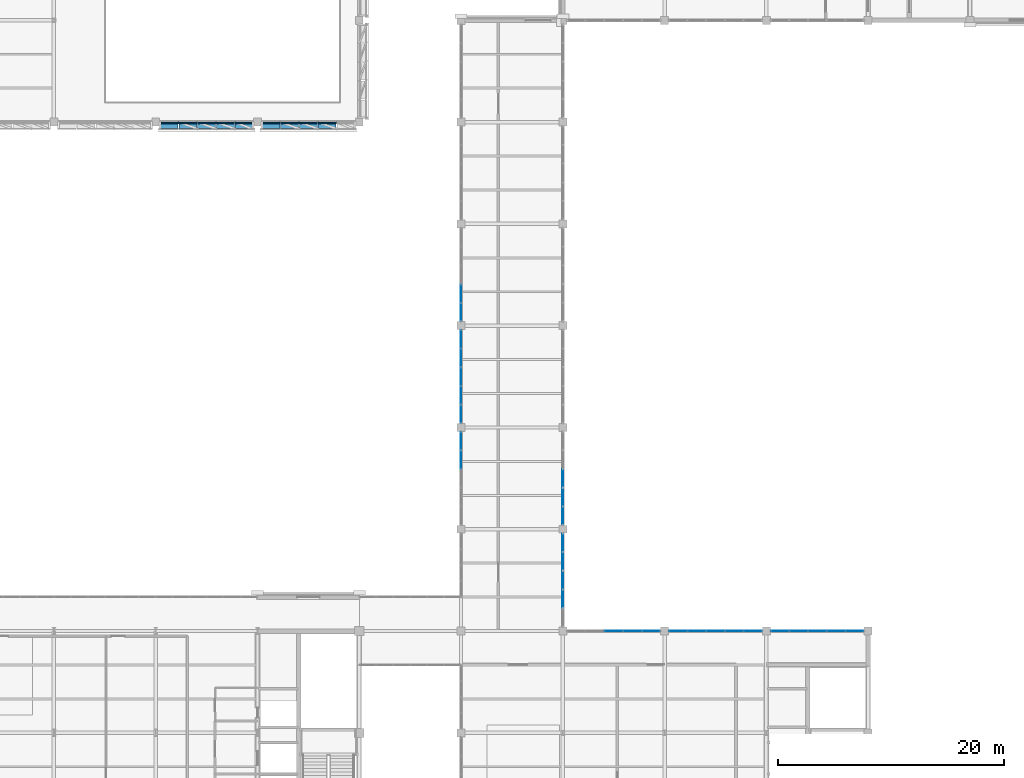
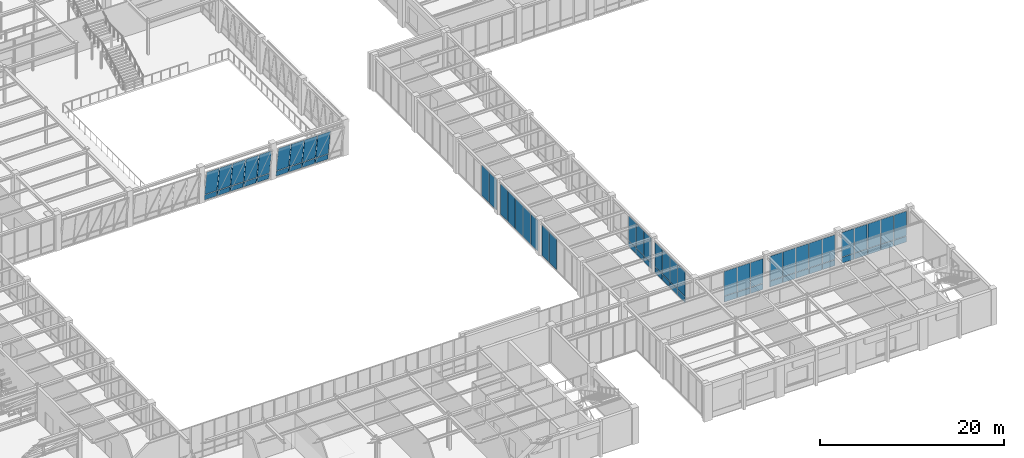
# One storey, part 71 of 92: 67 plates, 10 elements without a shape of their own.
"""IFC4 building model written with IfcOpenShell, lengths in metres."""

from ifc_helpers import new_model, si_unit, direction, frame, origin, origin_2d, place, context, subcontext, project, spatial, rectangle, extrude, material, layer, layer_set, type_object, element, aggregate, save


model = new_model("IFC4")

# Units and contexts
model_context = context("Model", 3, precision=1e-05, world=origin(), true_north=direction((0.0, 1.0)))
body_context = subcontext(model_context, "Body", "Model", "MODEL_VIEW")
ifc_project = project(units=[si_unit("LENGTHUNIT", "METRE"), si_unit("AREAUNIT", "SQUARE_METRE"), si_unit("VOLUMEUNIT", "CUBIC_METRE"), si_unit("PLANEANGLEUNIT", "RADIAN"), si_unit("MASSUNIT", "GRAM", prefix="KILO")], contexts=[model_context])

# Site, building, storey
site_placement = place(None, origin())
site = spatial("IfcSite", under=ifc_project, at=site_placement, CompositionType="ELEMENT")
building_placement = place(site_placement, origin())
building = spatial("IfcBuilding", under=site, at=building_placement, Name="Lykobir Media Centre", CompositionType="ELEMENT")
storey_placement = place(building_placement, frame((0.0, 0.0, 5.39990234375)))
storey = spatial("IfcBuildingStorey", under=building, at=storey_placement, Name="L01", CompositionType="ELEMENT", Elevation=5.39990234375)

# Curtain wall, plates
ifc_material_1 = material(Name="Anodized Aluminium AW-6060", Category="aluminium")
curtain_wall_type_1 = type_object("IfcCurtainWallType", Name="CW-COURT-A", PredefinedType="NOTDEFINED", material=ifc_material_1)
curtain_wall_1_placement = place(storey_placement, origin())
curtain_wall_1 = element("IfcCurtainWall", 1, at=curtain_wall_1_placement, inside=storey, type_object=curtain_wall_type_1, Name="Curtain wall CW2-L01-0028", PredefinedType="NOTDEFINED")
ifc_material_2 = material(Name="Low-E Laminated Triple Glazing", Category="glass")
ifc_layer_1 = layer(ifc_material_2, 0.0380859375, Name="Low-E Laminated Triple Glazing")
ifc_layer_set_1 = layer_set([ifc_layer_1], Name="Low-E Laminated Triple Glazing")
plate_type_1 = type_object("IfcPlateType", Name="CWP-GLZ-38", PredefinedType="CURTAIN_PANEL", material=ifc_layer_set_1)
plate_1_placement = place(storey_placement, frame((103.5, 18.0, 0.882568359375), z_axis=(0.0, 0.0, 1.0), x_axis=(1.0, 0.0, 0.0)))
plate_1 = element("IfcPlate", 2, at=plate_1_placement, type_object=plate_type_1, Name="CW2-L01-0028 panel 3.2", PredefinedType="CURTAIN_PANEL", context=body_context, shape_type="SweptSolid", body=[
    extrude(rectangle(XDim=1.593017578125, YDim=0.0380859375, at=origin_2d()), origin(), (0.0, 0.0, 1.0), 3.24755859375),
])
plate_2_placement = place(storey_placement, frame((105.157958984375, 18.0, 0.882568359375), z_axis=(0.0, 0.0, 1.0), x_axis=(1.0, 0.0, 0.0)))
plate_2 = element("IfcPlate", 3, at=plate_2_placement, type_object=plate_type_1, Name="CW2-L01-0028 panel 4.2", PredefinedType="CURTAIN_PANEL", context=body_context, shape_type="SweptSolid", body=[
    extrude(rectangle(XDim=1.593017578125, YDim=0.0380859375, at=origin_2d()), origin(), (0.0, 0.0, 1.0), 3.24755859375),
])
plate_3_placement = place(storey_placement, frame((106.7998046875, 18.0, 0.882568359375), z_axis=(0.0, 0.0, 1.0), x_axis=(1.0, 0.0, 0.0)))
plate_3 = element("IfcPlate", 4, at=plate_3_placement, type_object=plate_type_1, Name="CW2-L01-0028 panel 5.2", PredefinedType="CURTAIN_PANEL", context=body_context, shape_type="SweptSolid", body=[
    extrude(rectangle(XDim=1.560546875, YDim=0.0380859375, at=origin_2d()), origin(), (0.0, 0.0, 1.0), 3.24755859375),
])

curtain_wall_2_placement = place(storey_placement, origin())
curtain_wall_2 = element("IfcCurtainWall", 5, at=curtain_wall_2_placement, inside=storey, type_object=curtain_wall_type_1, Name="Curtain wall CW2-L01-0029", PredefinedType="NOTDEFINED")
plate_4_placement = place(storey_placement, frame((109.2001953125, 18.0, 0.882568359375), z_axis=(0.0, 0.0, 1.0), x_axis=(1.0, 0.0, 0.0)))
plate_4 = element("IfcPlate", 6, at=plate_4_placement, type_object=plate_type_1, Name="CW2-L01-0029 panel 1.2", PredefinedType="CURTAIN_PANEL", context=body_context, shape_type="SweptSolid", body=[
    extrude(rectangle(XDim=1.560546875, YDim=0.0380859375, at=origin_2d()), origin(), (0.0, 0.0, 1.0), 3.24755859375),
])
plate_5_placement = place(storey_placement, frame((110.842041015625, 18.0, 0.882568359375), z_axis=(0.0, 0.0, 1.0), x_axis=(1.0, 0.0, 0.0)))
plate_5 = element("IfcPlate", 7, at=plate_5_placement, type_object=plate_type_1, Name="CW2-L01-0029 panel 2.2", PredefinedType="CURTAIN_PANEL", context=body_context, shape_type="SweptSolid", body=[
    extrude(rectangle(XDim=1.593017578125, YDim=0.0380859375, at=origin_2d()), origin(), (0.0, 0.0, 1.0), 3.24755859375),
])
plate_6_placement = place(storey_placement, frame((112.5, 18.0, 0.882568359375), z_axis=(0.0, 0.0, 1.0), x_axis=(1.0, 0.0, 0.0)))
plate_6 = element("IfcPlate", 8, at=plate_6_placement, type_object=plate_type_1, Name="CW2-L01-0029 panel 3.2", PredefinedType="CURTAIN_PANEL", context=body_context, shape_type="SweptSolid", body=[
    extrude(rectangle(XDim=1.593017578125, YDim=0.0380859375, at=origin_2d()), origin(), (0.0, 0.0, 1.0), 3.24755859375),
])
plate_7_placement = place(storey_placement, frame((114.157958984375, 18.0, 0.882568359375), z_axis=(0.0, 0.0, 1.0), x_axis=(1.0, 0.0, 0.0)))
plate_7 = element("IfcPlate", 9, at=plate_7_placement, type_object=plate_type_1, Name="CW2-L01-0029 panel 4.2", PredefinedType="CURTAIN_PANEL", context=body_context, shape_type="SweptSolid", body=[
    extrude(rectangle(XDim=1.593017578125, YDim=0.0380859375, at=origin_2d()), origin(), (0.0, 0.0, 1.0), 3.24755859375),
])
plate_8_placement = place(storey_placement, frame((115.7998046875, 18.0, 0.882568359375), z_axis=(0.0, 0.0, 1.0), x_axis=(1.0, 0.0, 0.0)))
plate_8 = element("IfcPlate", 10, at=plate_8_placement, type_object=plate_type_1, Name="CW2-L01-0029 panel 5.2", PredefinedType="CURTAIN_PANEL", context=body_context, shape_type="SweptSolid", body=[
    extrude(rectangle(XDim=1.560546875, YDim=0.0380859375, at=origin_2d()), origin(), (0.0, 0.0, 1.0), 3.24755859375),
])

curtain_wall_3_placement = place(storey_placement, origin())
curtain_wall_3 = element("IfcCurtainWall", 11, at=curtain_wall_3_placement, inside=storey, type_object=curtain_wall_type_1, Name="Curtain wall CW2-L01-0030", PredefinedType="NOTDEFINED")
plate_9_placement = place(storey_placement, frame((118.2001953125, 18.0, 0.882568359375), z_axis=(0.0, 0.0, 1.0), x_axis=(1.0, 0.0, 0.0)))
plate_9 = element("IfcPlate", 12, at=plate_9_placement, type_object=plate_type_1, Name="CW2-L01-0030 panel 1.2", PredefinedType="CURTAIN_PANEL", context=body_context, shape_type="SweptSolid", body=[
    extrude(rectangle(XDim=1.560546875, YDim=0.0380859375, at=origin_2d()), origin(), (0.0, 0.0, 1.0), 3.24755859375),
])
plate_10_placement = place(storey_placement, frame((119.842041015625, 18.0, 0.882568359375), z_axis=(0.0, 0.0, 1.0), x_axis=(1.0, 0.0, 0.0)))
plate_10 = element("IfcPlate", 13, at=plate_10_placement, type_object=plate_type_1, Name="CW2-L01-0030 panel 2.2", PredefinedType="CURTAIN_PANEL", context=body_context, shape_type="SweptSolid", body=[
    extrude(rectangle(XDim=1.593017578125, YDim=0.0380859375, at=origin_2d()), origin(), (0.0, 0.0, 1.0), 3.24755859375),
])
plate_11_placement = place(storey_placement, frame((121.5, 18.0, 0.882568359375), z_axis=(0.0, 0.0, 1.0), x_axis=(1.0, 0.0, 0.0)))
plate_11 = element("IfcPlate", 14, at=plate_11_placement, type_object=plate_type_1, Name="CW2-L01-0030 panel 3.2", PredefinedType="CURTAIN_PANEL", context=body_context, shape_type="SweptSolid", body=[
    extrude(rectangle(XDim=1.593017578125, YDim=0.0380859375, at=origin_2d()), origin(), (0.0, 0.0, 1.0), 3.24755859375),
])
plate_12_placement = place(storey_placement, frame((123.157958984375, 18.0, 0.882568359375), z_axis=(0.0, 0.0, 1.0), x_axis=(1.0, 0.0, 0.0)))
plate_12 = element("IfcPlate", 15, at=plate_12_placement, type_object=plate_type_1, Name="CW2-L01-0030 panel 4.2", PredefinedType="CURTAIN_PANEL", context=body_context, shape_type="SweptSolid", body=[
    extrude(rectangle(XDim=1.593017578125, YDim=0.0380859375, at=origin_2d()), origin(), (0.0, 0.0, 1.0), 3.24755859375),
])
plate_13_placement = place(storey_placement, frame((124.7998046875, 18.0, 0.882568359375), z_axis=(0.0, 0.0, 1.0), x_axis=(1.0, 0.0, 0.0)))
plate_13 = element("IfcPlate", 16, at=plate_13_placement, type_object=plate_type_1, Name="CW2-L01-0030 panel 5.2", PredefinedType="CURTAIN_PANEL", context=body_context, shape_type="SweptSolid", body=[
    extrude(rectangle(XDim=1.560546875, YDim=0.0380859375, at=origin_2d()), origin(), (0.0, 0.0, 1.0), 3.24755859375),
])

curtain_wall_4_placement = place(storey_placement, origin())
curtain_wall_4 = element("IfcCurtainWall", 17, at=curtain_wall_4_placement, inside=storey, type_object=curtain_wall_type_1, Name="Curtain wall CW2-L01-0031", PredefinedType="NOTDEFINED")
plate_14_placement = place(storey_placement, frame((99.0, 25.7998046875, 0.882568359375), z_axis=(0.0, 0.0, 1.0), x_axis=(0.0, -1.0, 0.0)))
plate_14 = element("IfcPlate", 18, at=plate_14_placement, type_object=plate_type_1, Name="CW2-L01-0031 panel 1.2", PredefinedType="CURTAIN_PANEL", context=body_context, shape_type="SweptSolid", body=[
    extrude(rectangle(XDim=1.560546875, YDim=0.0380859375, at=origin_2d()), origin(), (0.0, 0.0, 1.0), 3.24755859375),
])
plate_15_placement = place(storey_placement, frame((99.0, 24.157958984375, 0.882568359375), z_axis=(0.0, 0.0, 1.0), x_axis=(0.0, -1.0, 0.0)))
plate_15 = element("IfcPlate", 19, at=plate_15_placement, type_object=plate_type_1, Name="CW2-L01-0031 panel 2.2", PredefinedType="CURTAIN_PANEL", context=body_context, shape_type="SweptSolid", body=[
    extrude(rectangle(XDim=1.593017578125, YDim=0.0380859375, at=origin_2d()), origin(), (0.0, 0.0, 1.0), 3.24755859375),
])
plate_16_placement = place(storey_placement, frame((99.0, 22.5, 0.882568359375), z_axis=(0.0, 0.0, 1.0), x_axis=(0.0, -1.0, 0.0)))
plate_16 = element("IfcPlate", 20, at=plate_16_placement, type_object=plate_type_1, Name="CW2-L01-0031 panel 3.2", PredefinedType="CURTAIN_PANEL", context=body_context, shape_type="SweptSolid", body=[
    extrude(rectangle(XDim=1.593017578125, YDim=0.0380859375, at=origin_2d()), origin(), (0.0, 0.0, 1.0), 3.24755859375),
])
plate_17_placement = place(storey_placement, frame((99.0, 20.842041015625, 0.882568359375), z_axis=(0.0, 0.0, 1.0), x_axis=(0.0, -1.0, 0.0)))
plate_17 = element("IfcPlate", 21, at=plate_17_placement, type_object=plate_type_1, Name="CW2-L01-0031 panel 4.2", PredefinedType="CURTAIN_PANEL", context=body_context, shape_type="SweptSolid", body=[
    extrude(rectangle(XDim=1.593017578125, YDim=0.0380859375, at=origin_2d()), origin(), (0.0, 0.0, 1.0), 3.24755859375),
])

curtain_wall_5_placement = place(storey_placement, origin())
curtain_wall_5 = element("IfcCurtainWall", 22, at=curtain_wall_5_placement, inside=storey, type_object=curtain_wall_type_1, Name="Curtain wall CW2-L01-0032", PredefinedType="NOTDEFINED")
plate_18_placement = place(storey_placement, frame((99.0, 31.5, 0.882568359375), z_axis=(0.0, 0.0, 1.0), x_axis=(0.0, -1.0, 0.0)))
plate_18 = element("IfcPlate", 23, at=plate_18_placement, type_object=plate_type_1, Name="CW2-L01-0032 panel 3.2", PredefinedType="CURTAIN_PANEL", context=body_context, shape_type="SweptSolid", body=[
    extrude(rectangle(XDim=1.593017578125, YDim=0.0380859375, at=origin_2d()), origin(), (0.0, 0.0, 1.0), 3.24755859375),
])
plate_19_placement = place(storey_placement, frame((99.0, 29.842041015625, 0.882568359375), z_axis=(0.0, 0.0, 1.0), x_axis=(0.0, -1.0, 0.0)))
plate_19 = element("IfcPlate", 24, at=plate_19_placement, type_object=plate_type_1, Name="CW2-L01-0032 panel 4.2", PredefinedType="CURTAIN_PANEL", context=body_context, shape_type="SweptSolid", body=[
    extrude(rectangle(XDim=1.593017578125, YDim=0.0380859375, at=origin_2d()), origin(), (0.0, 0.0, 1.0), 3.24755859375),
])
plate_20_placement = place(storey_placement, frame((99.0, 28.2001953125, 0.882568359375), z_axis=(0.0, 0.0, 1.0), x_axis=(0.0, -1.0, 0.0)))
plate_20 = element("IfcPlate", 25, at=plate_20_placement, type_object=plate_type_1, Name="CW2-L01-0032 panel 5.2", PredefinedType="CURTAIN_PANEL", context=body_context, shape_type="SweptSolid", body=[
    extrude(rectangle(XDim=1.560546875, YDim=0.0380859375, at=origin_2d()), origin(), (0.0, 0.0, 1.0), 3.24755859375),
])

curtain_wall_type_2 = type_object("IfcCurtainWallType", Name="CW-BRIDGE", PredefinedType="NOTDEFINED", material=ifc_material_1)
curtain_wall_6_placement = place(storey_placement, origin())
curtain_wall_6 = element("IfcCurtainWall", 26, at=curtain_wall_6_placement, inside=storey, type_object=curtain_wall_type_2, Name="Curtain wall CW2-L01-0038", PredefinedType="NOTDEFINED")
plate_21_placement = place(storey_placement, frame((90.0, 33.157958984375, 0.065185546875), z_axis=(0.0, 0.0, 1.0), x_axis=(0.0, 1.0, 0.0)))
plate_21 = element("IfcPlate", 27, at=plate_21_placement, type_object=plate_type_1, Name="CW2-L01-0038 panel 4.1", PredefinedType="CURTAIN_PANEL", context=body_context, shape_type="SweptSolid", body=[
    extrude(rectangle(XDim=1.593017578125, YDim=0.0380859375, at=origin_2d()), origin(), (0.0, 0.0, 1.0), 4.06494140625),
])
plate_22_placement = place(storey_placement, frame((90.0, 34.7998046875, 0.065185546875), z_axis=(0.0, 0.0, 1.0), x_axis=(0.0, 1.0, 0.0)))
plate_22 = element("IfcPlate", 28, at=plate_22_placement, type_object=plate_type_1, Name="CW2-L01-0038 panel 5.1", PredefinedType="CURTAIN_PANEL", context=body_context, shape_type="SweptSolid", body=[
    extrude(rectangle(XDim=1.560546875, YDim=0.0380859375, at=origin_2d()), origin(), (0.0, 0.0, 1.0), 4.06494140625),
])
aggregate(curtain_wall_6, [plate_21, plate_22])

curtain_wall_7_placement = place(storey_placement, origin())
curtain_wall_7 = element("IfcCurtainWall", 29, at=curtain_wall_7_placement, inside=storey, type_object=curtain_wall_type_2, Name="Curtain wall CW2-L01-0039", PredefinedType="NOTDEFINED")
plate_23_placement = place(storey_placement, frame((90.0, 37.2001953125, 0.065185546875), z_axis=(0.0, 0.0, 1.0), x_axis=(0.0, 1.0, 0.0)))
plate_23 = element("IfcPlate", 30, at=plate_23_placement, type_object=plate_type_1, Name="CW2-L01-0039 panel 1.1", PredefinedType="CURTAIN_PANEL", context=body_context, shape_type="SweptSolid", body=[
    extrude(rectangle(XDim=1.560546875, YDim=0.0380859375, at=origin_2d()), origin(), (0.0, 0.0, 1.0), 4.06494140625),
])
plate_24_placement = place(storey_placement, frame((90.0, 38.842041015625, 0.065185546875), z_axis=(0.0, 0.0, 1.0), x_axis=(0.0, 1.0, 0.0)))
plate_24 = element("IfcPlate", 31, at=plate_24_placement, type_object=plate_type_1, Name="CW2-L01-0039 panel 2.1", PredefinedType="CURTAIN_PANEL", context=body_context, shape_type="SweptSolid", body=[
    extrude(rectangle(XDim=1.593017578125, YDim=0.0380859375, at=origin_2d()), origin(), (0.0, 0.0, 1.0), 4.06494140625),
])
plate_25_placement = place(storey_placement, frame((90.0, 40.5, 0.065185546875), z_axis=(0.0, 0.0, 1.0), x_axis=(0.0, 1.0, 0.0)))
plate_25 = element("IfcPlate", 32, at=plate_25_placement, type_object=plate_type_1, Name="CW2-L01-0039 panel 3.1", PredefinedType="CURTAIN_PANEL", context=body_context, shape_type="SweptSolid", body=[
    extrude(rectangle(XDim=1.593017578125, YDim=0.0380859375, at=origin_2d()), origin(), (0.0, 0.0, 1.0), 4.06494140625),
])
plate_26_placement = place(storey_placement, frame((90.0, 42.157958984375, 0.065185546875), z_axis=(0.0, 0.0, 1.0), x_axis=(0.0, 1.0, 0.0)))
plate_26 = element("IfcPlate", 33, at=plate_26_placement, type_object=plate_type_1, Name="CW2-L01-0039 panel 4.1", PredefinedType="CURTAIN_PANEL", context=body_context, shape_type="SweptSolid", body=[
    extrude(rectangle(XDim=1.593017578125, YDim=0.0380859375, at=origin_2d()), origin(), (0.0, 0.0, 1.0), 4.06494140625),
])
plate_27_placement = place(storey_placement, frame((90.0, 43.7998046875, 0.065185546875), z_axis=(0.0, 0.0, 1.0), x_axis=(0.0, 1.0, 0.0)))
plate_27 = element("IfcPlate", 34, at=plate_27_placement, type_object=plate_type_1, Name="CW2-L01-0039 panel 5.1", PredefinedType="CURTAIN_PANEL", context=body_context, shape_type="SweptSolid", body=[
    extrude(rectangle(XDim=1.560546875, YDim=0.0380859375, at=origin_2d()), origin(), (0.0, 0.0, 1.0), 4.06494140625),
])
aggregate(curtain_wall_7, [plate_23, plate_24, plate_25, plate_26, plate_27])

curtain_wall_8_placement = place(storey_placement, origin())
curtain_wall_8 = element("IfcCurtainWall", 35, at=curtain_wall_8_placement, inside=storey, type_object=curtain_wall_type_2, Name="Curtain wall CW2-L01-0040", PredefinedType="NOTDEFINED")
plate_28_placement = place(storey_placement, frame((90.0, 46.2001953125, 0.065185546875), z_axis=(0.0, 0.0, 1.0), x_axis=(0.0, 1.0, 0.0)))
plate_28 = element("IfcPlate", 36, at=plate_28_placement, type_object=plate_type_1, Name="CW2-L01-0040 panel 1.1", PredefinedType="CURTAIN_PANEL", context=body_context, shape_type="SweptSolid", body=[
    extrude(rectangle(XDim=1.560546875, YDim=0.0380859375, at=origin_2d()), origin(), (0.0, 0.0, 1.0), 4.06494140625),
])
plate_29_placement = place(storey_placement, frame((90.0, 47.842041015625, 0.065185546875), z_axis=(0.0, 0.0, 1.0), x_axis=(0.0, 1.0, 0.0)))
plate_29 = element("IfcPlate", 37, at=plate_29_placement, type_object=plate_type_1, Name="CW2-L01-0040 panel 2.1", PredefinedType="CURTAIN_PANEL", context=body_context, shape_type="SweptSolid", body=[
    extrude(rectangle(XDim=1.593017578125, YDim=0.0380859375, at=origin_2d()), origin(), (0.0, 0.0, 1.0), 4.06494140625),
])
aggregate(curtain_wall_8, [plate_28, plate_29])

curtain_wall_type_3 = type_object("IfcCurtainWallType", Name="CW-V6-CR1", PredefinedType="NOTDEFINED", material=ifc_material_1)
curtain_wall_9_placement = place(storey_placement, origin())
curtain_wall_9 = element("IfcCurtainWall", 38, at=curtain_wall_9_placement, inside=storey, type_object=curtain_wall_type_3, Name="Curtain wall CW2-L01-0056", PredefinedType="NOTDEFINED")
ifc_layer_2 = layer(ifc_material_2, 0.0439453125, Name="Low-E Laminated Triple Glazing")
ifc_layer_set_2 = layer_set([ifc_layer_2], Name="Low-E Laminated Triple Glazing")
plate_type_2 = type_object("IfcPlateType", Name="CWP-GLZ-44", PredefinedType="CURTAIN_PANEL", material=ifc_layer_set_2)
plate_30_placement = place(storey_placement, frame((64.20263671875, 62.873291015625, 0.87841796875), z_axis=(0.0, -0.142628933706, 0.989776230908), x_axis=(1.0, 0.0, 0.0)))
plate_30 = element("IfcPlate", 39, at=plate_30_placement, type_object=plate_type_2, Name="CW2-L01-0056 panel 1.2", PredefinedType="CURTAIN_PANEL", context=body_context, shape_type="SweptSolid", body=[
    extrude(rectangle(XDim=1.54541015625, YDim=0.0439453125, at=origin_2d()), origin(), (0.0, 0.0, 1.0), 3.27587890625),
])
plate_31_placement = place(storey_placement, frame((65.842041015625, 62.873291015625, 0.87841796875), z_axis=(0.0, -0.142628933706, 0.989776230908), x_axis=(1.0, 0.0, 0.0)))
plate_31 = element("IfcPlate", 40, at=plate_31_placement, type_object=plate_type_2, Name="CW2-L01-0056 panel 2.2", PredefinedType="CURTAIN_PANEL", context=body_context, shape_type="SweptSolid", body=[
    extrude(rectangle(XDim=1.5830078125, YDim=0.0439453125, at=origin_2d()), origin(), (0.0, 0.0, 1.0), 3.27587890625),
])
plate_32_placement = place(storey_placement, frame((67.5, 62.873291015625, 0.87841796875), z_axis=(0.0, -0.142628933706, 0.989776230908), x_axis=(1.0, 0.0, 0.0)))
plate_32 = element("IfcPlate", 41, at=plate_32_placement, type_object=plate_type_2, Name="CW2-L01-0056 panel 3.2", PredefinedType="CURTAIN_PANEL", context=body_context, shape_type="SweptSolid", body=[
    extrude(rectangle(XDim=1.5830078125, YDim=0.0439453125, at=origin_2d()), origin(), (0.0, 0.0, 1.0), 3.27587890625),
])
plate_33_placement = place(storey_placement, frame((69.157958984375, 62.873291015625, 0.87841796875), z_axis=(0.0, -0.142628933706, 0.989776230908), x_axis=(1.0, 0.0, 0.0)))
plate_33 = element("IfcPlate", 42, at=plate_33_placement, type_object=plate_type_2, Name="CW2-L01-0056 panel 4.2", PredefinedType="CURTAIN_PANEL", context=body_context, shape_type="SweptSolid", body=[
    extrude(rectangle(XDim=1.5830078125, YDim=0.0439453125, at=origin_2d()), origin(), (0.0, 0.0, 1.0), 3.27587890625),
])
plate_34_placement = place(storey_placement, frame((70.797119140625, 62.873291015625, 0.87841796875), z_axis=(0.0, -0.142628933706, 0.989776230908), x_axis=(1.0, 0.0, 0.0)))
plate_34 = element("IfcPlate", 43, at=plate_34_placement, type_object=plate_type_2, Name="CW2-L01-0056 panel 5.2", PredefinedType="CURTAIN_PANEL", context=body_context, shape_type="SweptSolid", body=[
    extrude(rectangle(XDim=1.54541015625, YDim=0.0439453125, at=origin_2d()), origin(), (0.0, 0.0, 1.0), 3.27587890625),
])

curtain_wall_10_placement = place(storey_placement, origin())
curtain_wall_10 = element("IfcCurtainWall", 44, at=curtain_wall_10_placement, inside=storey, type_object=curtain_wall_type_3, Name="Curtain wall CW2-L01-0057", PredefinedType="NOTDEFINED")
plate_35_placement = place(storey_placement, frame((73.202880859375, 62.873291015625, 0.87841796875), z_axis=(0.0, -0.142628933706, 0.989776230908), x_axis=(1.0, 0.0, 0.0)))
plate_35 = element("IfcPlate", 45, at=plate_35_placement, type_object=plate_type_2, Name="CW2-L01-0057 panel 1.2", PredefinedType="CURTAIN_PANEL", context=body_context, shape_type="SweptSolid", body=[
    extrude(rectangle(XDim=1.54541015625, YDim=0.0439453125, at=origin_2d()), origin(), (0.0, 0.0, 1.0), 3.27587890625),
])
plate_36_placement = place(storey_placement, frame((74.842041015625, 62.873291015625, 0.87841796875), z_axis=(0.0, -0.142628933706, 0.989776230908), x_axis=(1.0, 0.0, 0.0)))
plate_36 = element("IfcPlate", 46, at=plate_36_placement, type_object=plate_type_2, Name="CW2-L01-0057 panel 2.2", PredefinedType="CURTAIN_PANEL", context=body_context, shape_type="SweptSolid", body=[
    extrude(rectangle(XDim=1.5830078125, YDim=0.0439453125, at=origin_2d()), origin(), (0.0, 0.0, 1.0), 3.27587890625),
])
plate_37_placement = place(storey_placement, frame((76.5, 62.873291015625, 0.87841796875), z_axis=(0.0, -0.142628933706, 0.989776230908), x_axis=(1.0, 0.0, 0.0)))
plate_37 = element("IfcPlate", 47, at=plate_37_placement, type_object=plate_type_2, Name="CW2-L01-0057 panel 3.2", PredefinedType="CURTAIN_PANEL", context=body_context, shape_type="SweptSolid", body=[
    extrude(rectangle(XDim=1.5830078125, YDim=0.0439453125, at=origin_2d()), origin(), (0.0, 0.0, 1.0), 3.27587890625),
])
plate_38_placement = place(storey_placement, frame((78.157958984375, 62.873291015625, 0.87841796875), z_axis=(0.0, -0.142628933706, 0.989776230908), x_axis=(1.0, 0.0, 0.0)))
plate_38 = element("IfcPlate", 48, at=plate_38_placement, type_object=plate_type_2, Name="CW2-L01-0057 panel 4.2", PredefinedType="CURTAIN_PANEL", context=body_context, shape_type="SweptSolid", body=[
    extrude(rectangle(XDim=1.5830078125, YDim=0.0439453125, at=origin_2d()), origin(), (0.0, 0.0, 1.0), 3.27587890625),
])

# Plate
ifc_material_3 = material(Name="Glazed Turquoise Terracotta", Category="masonry")
ifc_layer_3 = layer(ifc_material_3, 0.06005859375, Name="Glazed Turquoise Terracotta")
ifc_layer_set_3 = layer_set([ifc_layer_3], Name="Glazed Turquoise Terracotta")
plate_type_3 = type_object("IfcPlateType", Name="CWP-SPN-60", PredefinedType="CURTAIN_PANEL", material=ifc_layer_set_3)
plate_39_placement = place(storey_placement, frame((103.5, 18.0, 0.065185546875), z_axis=(0.0, 0.0, 1.0), x_axis=(1.0, 0.0, 0.0)))
plate_39 = element("IfcPlate", 49, at=plate_39_placement, type_object=plate_type_3, Name="CW2-L01-0028 panel 3.1", PredefinedType="CURTAIN_PANEL", context=body_context, shape_type="SweptSolid", body=[
    extrude(rectangle(XDim=1.593017578125, YDim=0.06005859375, at=origin_2d()), origin(), (0.0, 0.0, 1.0), 0.75244140625),
])

plate_40_placement = place(storey_placement, frame((105.157958984375, 18.0, 0.065185546875), z_axis=(0.0, 0.0, 1.0), x_axis=(1.0, 0.0, 0.0)))
plate_40 = element("IfcPlate", 50, at=plate_40_placement, type_object=plate_type_3, Name="CW2-L01-0028 panel 4.1", PredefinedType="CURTAIN_PANEL", context=body_context, shape_type="SweptSolid", body=[
    extrude(rectangle(XDim=1.593017578125, YDim=0.06005859375, at=origin_2d()), origin(), (0.0, 0.0, 1.0), 0.75244140625),
])

plate_41_placement = place(storey_placement, frame((106.7998046875, 18.0, 0.065185546875), z_axis=(0.0, 0.0, 1.0), x_axis=(1.0, 0.0, 0.0)))
plate_41 = element("IfcPlate", 51, at=plate_41_placement, type_object=plate_type_3, Name="CW2-L01-0028 panel 5.1", PredefinedType="CURTAIN_PANEL", context=body_context, shape_type="SweptSolid", body=[
    extrude(rectangle(XDim=1.560546875, YDim=0.06005859375, at=origin_2d()), origin(), (0.0, 0.0, 1.0), 0.75244140625),
])

aggregate(curtain_wall_1, [plate_39, plate_1, plate_40, plate_2, plate_41, plate_3])

plate_42_placement = place(storey_placement, frame((109.2001953125, 18.0, 0.065185546875), z_axis=(0.0, 0.0, 1.0), x_axis=(1.0, 0.0, 0.0)))
plate_42 = element("IfcPlate", 52, at=plate_42_placement, type_object=plate_type_3, Name="CW2-L01-0029 panel 1.1", PredefinedType="CURTAIN_PANEL", context=body_context, shape_type="SweptSolid", body=[
    extrude(rectangle(XDim=1.560546875, YDim=0.06005859375, at=origin_2d()), origin(), (0.0, 0.0, 1.0), 0.75244140625),
])

plate_43_placement = place(storey_placement, frame((110.842041015625, 18.0, 0.065185546875), z_axis=(0.0, 0.0, 1.0), x_axis=(1.0, 0.0, 0.0)))
plate_43 = element("IfcPlate", 53, at=plate_43_placement, type_object=plate_type_3, Name="CW2-L01-0029 panel 2.1", PredefinedType="CURTAIN_PANEL", context=body_context, shape_type="SweptSolid", body=[
    extrude(rectangle(XDim=1.593017578125, YDim=0.06005859375, at=origin_2d()), origin(), (0.0, 0.0, 1.0), 0.75244140625),
])

plate_44_placement = place(storey_placement, frame((112.5, 18.0, 0.065185546875), z_axis=(0.0, 0.0, 1.0), x_axis=(1.0, 0.0, 0.0)))
plate_44 = element("IfcPlate", 54, at=plate_44_placement, type_object=plate_type_3, Name="CW2-L01-0029 panel 3.1", PredefinedType="CURTAIN_PANEL", context=body_context, shape_type="SweptSolid", body=[
    extrude(rectangle(XDim=1.593017578125, YDim=0.06005859375, at=origin_2d()), origin(), (0.0, 0.0, 1.0), 0.75244140625),
])

plate_45_placement = place(storey_placement, frame((114.157958984375, 18.0, 0.065185546875), z_axis=(0.0, 0.0, 1.0), x_axis=(1.0, 0.0, 0.0)))
plate_45 = element("IfcPlate", 55, at=plate_45_placement, type_object=plate_type_3, Name="CW2-L01-0029 panel 4.1", PredefinedType="CURTAIN_PANEL", context=body_context, shape_type="SweptSolid", body=[
    extrude(rectangle(XDim=1.593017578125, YDim=0.06005859375, at=origin_2d()), origin(), (0.0, 0.0, 1.0), 0.75244140625),
])

plate_46_placement = place(storey_placement, frame((115.7998046875, 18.0, 0.065185546875), z_axis=(0.0, 0.0, 1.0), x_axis=(1.0, 0.0, 0.0)))
plate_46 = element("IfcPlate", 56, at=plate_46_placement, type_object=plate_type_3, Name="CW2-L01-0029 panel 5.1", PredefinedType="CURTAIN_PANEL", context=body_context, shape_type="SweptSolid", body=[
    extrude(rectangle(XDim=1.560546875, YDim=0.06005859375, at=origin_2d()), origin(), (0.0, 0.0, 1.0), 0.75244140625),
])

aggregate(curtain_wall_2, [plate_42, plate_4, plate_43, plate_5, plate_44, plate_6, plate_45, plate_7, plate_46, plate_8])

plate_47_placement = place(storey_placement, frame((118.2001953125, 18.0, 0.065185546875), z_axis=(0.0, 0.0, 1.0), x_axis=(1.0, 0.0, 0.0)))
plate_47 = element("IfcPlate", 57, at=plate_47_placement, type_object=plate_type_3, Name="CW2-L01-0030 panel 1.1", PredefinedType="CURTAIN_PANEL", context=body_context, shape_type="SweptSolid", body=[
    extrude(rectangle(XDim=1.560546875, YDim=0.06005859375, at=origin_2d()), origin(), (0.0, 0.0, 1.0), 0.75244140625),
])

plate_48_placement = place(storey_placement, frame((119.842041015625, 18.0, 0.065185546875), z_axis=(0.0, 0.0, 1.0), x_axis=(1.0, 0.0, 0.0)))
plate_48 = element("IfcPlate", 58, at=plate_48_placement, type_object=plate_type_3, Name="CW2-L01-0030 panel 2.1", PredefinedType="CURTAIN_PANEL", context=body_context, shape_type="SweptSolid", body=[
    extrude(rectangle(XDim=1.593017578125, YDim=0.06005859375, at=origin_2d()), origin(), (0.0, 0.0, 1.0), 0.75244140625),
])

plate_49_placement = place(storey_placement, frame((121.5, 18.0, 0.065185546875), z_axis=(0.0, 0.0, 1.0), x_axis=(1.0, 0.0, 0.0)))
plate_49 = element("IfcPlate", 59, at=plate_49_placement, type_object=plate_type_3, Name="CW2-L01-0030 panel 3.1", PredefinedType="CURTAIN_PANEL", context=body_context, shape_type="SweptSolid", body=[
    extrude(rectangle(XDim=1.593017578125, YDim=0.06005859375, at=origin_2d()), origin(), (0.0, 0.0, 1.0), 0.75244140625),
])

plate_50_placement = place(storey_placement, frame((123.157958984375, 18.0, 0.065185546875), z_axis=(0.0, 0.0, 1.0), x_axis=(1.0, 0.0, 0.0)))
plate_50 = element("IfcPlate", 60, at=plate_50_placement, type_object=plate_type_3, Name="CW2-L01-0030 panel 4.1", PredefinedType="CURTAIN_PANEL", context=body_context, shape_type="SweptSolid", body=[
    extrude(rectangle(XDim=1.593017578125, YDim=0.06005859375, at=origin_2d()), origin(), (0.0, 0.0, 1.0), 0.75244140625),
])

plate_51_placement = place(storey_placement, frame((124.7998046875, 18.0, 0.065185546875), z_axis=(0.0, 0.0, 1.0), x_axis=(1.0, 0.0, 0.0)))
plate_51 = element("IfcPlate", 61, at=plate_51_placement, type_object=plate_type_3, Name="CW2-L01-0030 panel 5.1", PredefinedType="CURTAIN_PANEL", context=body_context, shape_type="SweptSolid", body=[
    extrude(rectangle(XDim=1.560546875, YDim=0.06005859375, at=origin_2d()), origin(), (0.0, 0.0, 1.0), 0.75244140625),
])

aggregate(curtain_wall_3, [plate_47, plate_9, plate_48, plate_10, plate_49, plate_11, plate_50, plate_12, plate_51, plate_13])

plate_52_placement = place(storey_placement, frame((99.0, 25.7998046875, 0.065185546875), z_axis=(0.0, 0.0, 1.0), x_axis=(0.0, -1.0, 0.0)))
plate_52 = element("IfcPlate", 62, at=plate_52_placement, type_object=plate_type_3, Name="CW2-L01-0031 panel 1.1", PredefinedType="CURTAIN_PANEL", context=body_context, shape_type="SweptSolid", body=[
    extrude(rectangle(XDim=1.560546875, YDim=0.06005859375, at=origin_2d()), origin(), (0.0, 0.0, 1.0), 0.75244140625),
])

plate_53_placement = place(storey_placement, frame((99.0, 24.157958984375, 0.065185546875), z_axis=(0.0, 0.0, 1.0), x_axis=(0.0, -1.0, 0.0)))
plate_53 = element("IfcPlate", 63, at=plate_53_placement, type_object=plate_type_3, Name="CW2-L01-0031 panel 2.1", PredefinedType="CURTAIN_PANEL", context=body_context, shape_type="SweptSolid", body=[
    extrude(rectangle(XDim=1.593017578125, YDim=0.06005859375, at=origin_2d()), origin(), (0.0, 0.0, 1.0), 0.75244140625),
])

plate_54_placement = place(storey_placement, frame((99.0, 22.5, 0.065185546875), z_axis=(0.0, 0.0, 1.0), x_axis=(0.0, -1.0, 0.0)))
plate_54 = element("IfcPlate", 64, at=plate_54_placement, type_object=plate_type_3, Name="CW2-L01-0031 panel 3.1", PredefinedType="CURTAIN_PANEL", context=body_context, shape_type="SweptSolid", body=[
    extrude(rectangle(XDim=1.593017578125, YDim=0.06005859375, at=origin_2d()), origin(), (0.0, 0.0, 1.0), 0.75244140625),
])

plate_55_placement = place(storey_placement, frame((99.0, 20.842041015625, 0.065185546875), z_axis=(0.0, 0.0, 1.0), x_axis=(0.0, -1.0, 0.0)))
plate_55 = element("IfcPlate", 65, at=plate_55_placement, type_object=plate_type_3, Name="CW2-L01-0031 panel 4.1", PredefinedType="CURTAIN_PANEL", context=body_context, shape_type="SweptSolid", body=[
    extrude(rectangle(XDim=1.593017578125, YDim=0.06005859375, at=origin_2d()), origin(), (0.0, 0.0, 1.0), 0.75244140625),
])

aggregate(curtain_wall_4, [plate_52, plate_14, plate_53, plate_15, plate_54, plate_16, plate_55, plate_17])

plate_56_placement = place(storey_placement, frame((99.0, 31.5, 0.065185546875), z_axis=(0.0, 0.0, 1.0), x_axis=(0.0, -1.0, 0.0)))
plate_56 = element("IfcPlate", 66, at=plate_56_placement, type_object=plate_type_3, Name="CW2-L01-0032 panel 3.1", PredefinedType="CURTAIN_PANEL", context=body_context, shape_type="SweptSolid", body=[
    extrude(rectangle(XDim=1.593017578125, YDim=0.06005859375, at=origin_2d()), origin(), (0.0, 0.0, 1.0), 0.75244140625),
])

plate_57_placement = place(storey_placement, frame((99.0, 29.842041015625, 0.065185546875), z_axis=(0.0, 0.0, 1.0), x_axis=(0.0, -1.0, 0.0)))
plate_57 = element("IfcPlate", 67, at=plate_57_placement, type_object=plate_type_3, Name="CW2-L01-0032 panel 4.1", PredefinedType="CURTAIN_PANEL", context=body_context, shape_type="SweptSolid", body=[
    extrude(rectangle(XDim=1.593017578125, YDim=0.06005859375, at=origin_2d()), origin(), (0.0, 0.0, 1.0), 0.75244140625),
])

plate_58_placement = place(storey_placement, frame((99.0, 28.2001953125, 0.065185546875), z_axis=(0.0, 0.0, 1.0), x_axis=(0.0, -1.0, 0.0)))
plate_58 = element("IfcPlate", 68, at=plate_58_placement, type_object=plate_type_3, Name="CW2-L01-0032 panel 5.1", PredefinedType="CURTAIN_PANEL", context=body_context, shape_type="SweptSolid", body=[
    extrude(rectangle(XDim=1.560546875, YDim=0.06005859375, at=origin_2d()), origin(), (0.0, 0.0, 1.0), 0.75244140625),
])

aggregate(curtain_wall_5, [plate_56, plate_18, plate_57, plate_19, plate_58, plate_20])

plate_59_placement = place(storey_placement, frame((64.20263671875, 62.9892578125, 0.07421875), z_axis=(0.0, -0.142628933706, 0.989776230908), x_axis=(1.0, 0.0, 0.0)))
plate_59 = element("IfcPlate", 69, at=plate_59_placement, type_object=plate_type_3, Name="CW2-L01-0056 panel 1.1", PredefinedType="CURTAIN_PANEL", context=body_context, shape_type="SweptSolid", body=[
    extrude(rectangle(XDim=1.54541015625, YDim=0.06005859375, at=origin_2d()), origin(), (0.0, 0.0, 1.0), 0.737548828125),
])

plate_60_placement = place(storey_placement, frame((65.842041015625, 62.9892578125, 0.07421875), z_axis=(0.0, -0.142628933706, 0.989776230908), x_axis=(1.0, 0.0, 0.0)))
plate_60 = element("IfcPlate", 70, at=plate_60_placement, type_object=plate_type_3, Name="CW2-L01-0056 panel 2.1", PredefinedType="CURTAIN_PANEL", context=body_context, shape_type="SweptSolid", body=[
    extrude(rectangle(XDim=1.5830078125, YDim=0.06005859375, at=origin_2d()), origin(), (0.0, 0.0, 1.0), 0.737548828125),
])

plate_61_placement = place(storey_placement, frame((67.5, 62.9892578125, 0.07421875), z_axis=(0.0, -0.142628933706, 0.989776230908), x_axis=(1.0, 0.0, 0.0)))
plate_61 = element("IfcPlate", 71, at=plate_61_placement, type_object=plate_type_3, Name="CW2-L01-0056 panel 3.1", PredefinedType="CURTAIN_PANEL", context=body_context, shape_type="SweptSolid", body=[
    extrude(rectangle(XDim=1.5830078125, YDim=0.06005859375, at=origin_2d()), origin(), (0.0, 0.0, 1.0), 0.737548828125),
])

plate_62_placement = place(storey_placement, frame((69.157958984375, 62.9892578125, 0.07421875), z_axis=(0.0, -0.142628933706, 0.989776230908), x_axis=(1.0, 0.0, 0.0)))
plate_62 = element("IfcPlate", 72, at=plate_62_placement, type_object=plate_type_3, Name="CW2-L01-0056 panel 4.1", PredefinedType="CURTAIN_PANEL", context=body_context, shape_type="SweptSolid", body=[
    extrude(rectangle(XDim=1.5830078125, YDim=0.06005859375, at=origin_2d()), origin(), (0.0, 0.0, 1.0), 0.737548828125),
])

plate_63_placement = place(storey_placement, frame((70.797119140625, 62.9892578125, 0.07421875), z_axis=(0.0, -0.142628933706, 0.989776230908), x_axis=(1.0, 0.0, 0.0)))
plate_63 = element("IfcPlate", 73, at=plate_63_placement, type_object=plate_type_3, Name="CW2-L01-0056 panel 5.1", PredefinedType="CURTAIN_PANEL", context=body_context, shape_type="SweptSolid", body=[
    extrude(rectangle(XDim=1.54541015625, YDim=0.06005859375, at=origin_2d()), origin(), (0.0, 0.0, 1.0), 0.737548828125),
])

aggregate(curtain_wall_9, [plate_59, plate_30, plate_60, plate_31, plate_61, plate_32, plate_62, plate_33, plate_63, plate_34])

plate_64_placement = place(storey_placement, frame((73.202880859375, 62.9892578125, 0.07421875), z_axis=(0.0, -0.142628933706, 0.989776230908), x_axis=(1.0, 0.0, 0.0)))
plate_64 = element("IfcPlate", 74, at=plate_64_placement, type_object=plate_type_3, Name="CW2-L01-0057 panel 1.1", PredefinedType="CURTAIN_PANEL", context=body_context, shape_type="SweptSolid", body=[
    extrude(rectangle(XDim=1.54541015625, YDim=0.06005859375, at=origin_2d()), origin(), (0.0, 0.0, 1.0), 0.737548828125),
])

plate_65_placement = place(storey_placement, frame((74.842041015625, 62.9892578125, 0.07421875), z_axis=(0.0, -0.142628933706, 0.989776230908), x_axis=(1.0, 0.0, 0.0)))
plate_65 = element("IfcPlate", 75, at=plate_65_placement, type_object=plate_type_3, Name="CW2-L01-0057 panel 2.1", PredefinedType="CURTAIN_PANEL", context=body_context, shape_type="SweptSolid", body=[
    extrude(rectangle(XDim=1.5830078125, YDim=0.06005859375, at=origin_2d()), origin(), (0.0, 0.0, 1.0), 0.737548828125),
])

plate_66_placement = place(storey_placement, frame((76.5, 62.9892578125, 0.07421875), z_axis=(0.0, -0.142628933706, 0.989776230908), x_axis=(1.0, 0.0, 0.0)))
plate_66 = element("IfcPlate", 76, at=plate_66_placement, type_object=plate_type_3, Name="CW2-L01-0057 panel 3.1", PredefinedType="CURTAIN_PANEL", context=body_context, shape_type="SweptSolid", body=[
    extrude(rectangle(XDim=1.5830078125, YDim=0.06005859375, at=origin_2d()), origin(), (0.0, 0.0, 1.0), 0.737548828125),
])

plate_67_placement = place(storey_placement, frame((78.157958984375, 62.9892578125, 0.07421875), z_axis=(0.0, -0.142628933706, 0.989776230908), x_axis=(1.0, 0.0, 0.0)))
plate_67 = element("IfcPlate", 77, at=plate_67_placement, type_object=plate_type_3, Name="CW2-L01-0057 panel 4.1", PredefinedType="CURTAIN_PANEL", context=body_context, shape_type="SweptSolid", body=[
    extrude(rectangle(XDim=1.5830078125, YDim=0.06005859375, at=origin_2d()), origin(), (0.0, 0.0, 1.0), 0.737548828125),
])

aggregate(curtain_wall_10, [plate_64, plate_35, plate_65, plate_36, plate_66, plate_37, plate_67, plate_38])

save(model, "model.ifc")
